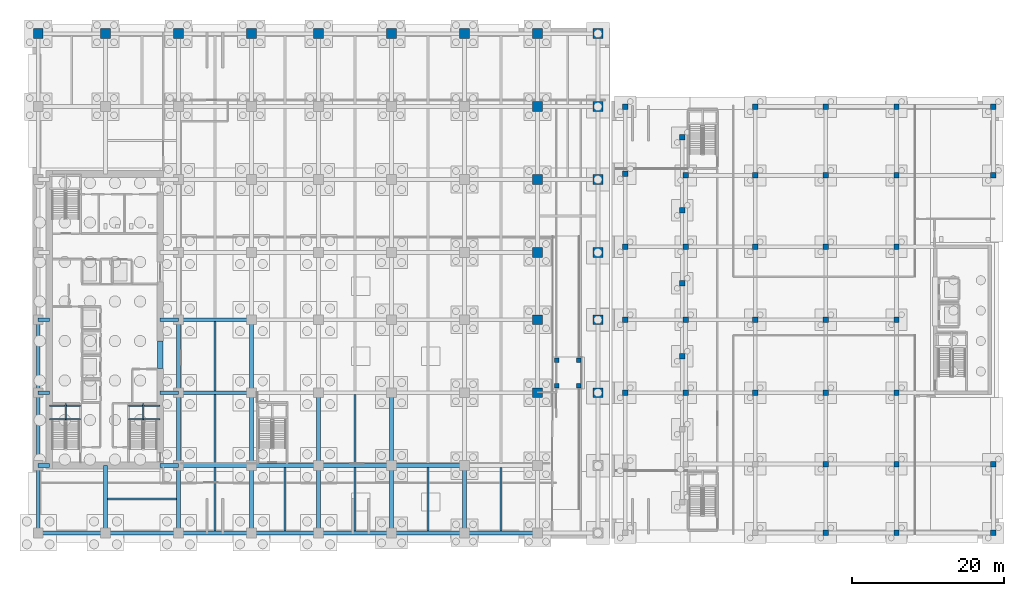
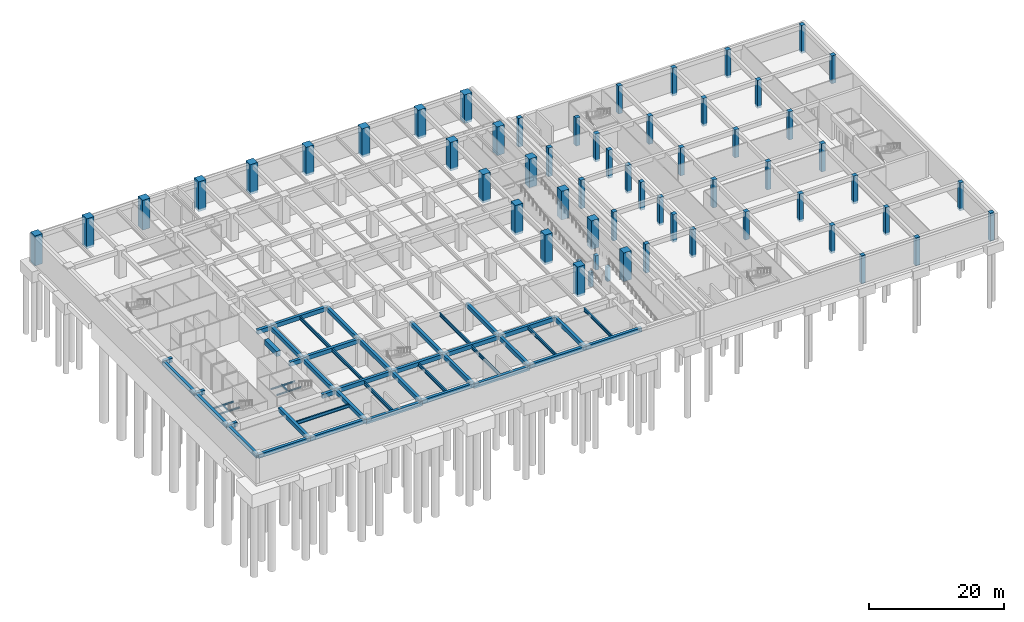
# One storey, part 4 of 20: 59 columns, 50 beams.
"""IFC4 building model written with IfcOpenShell, lengths in metres."""

from ifc_helpers import new_model, si_unit, direction, frame, origin, origin_2d, place, context, subcontext, project, spatial, rectangle, i_section, extrude, material, material_profile, profile_set, type_object, element, save


model = new_model("IFC4")

# Units and contexts
model_context = context("Model", 3, precision=1e-05, world=origin(), true_north=direction((0.0, 1.0)))
body_context = subcontext(model_context, "Body", "Model", "MODEL_VIEW")
ifc_project = project(units=[si_unit("LENGTHUNIT", "METRE"), si_unit("AREAUNIT", "SQUARE_METRE"), si_unit("VOLUMEUNIT", "CUBIC_METRE"), si_unit("PLANEANGLEUNIT", "RADIAN"), si_unit("MASSUNIT", "GRAM", prefix="KILO")], contexts=[model_context])

# Site, building, storey
site_placement = place(None, origin())
site = spatial("IfcSite", under=ifc_project, at=site_placement, CompositionType="ELEMENT")
building_placement = place(site_placement, origin())
building = spatial("IfcBuilding", under=site, at=building_placement, Name="Norrvale University Quadrangle", CompositionType="ELEMENT")
storey_placement = place(building_placement, frame((0.0, 0.0, -5.0)))
storey = spatial("IfcBuildingStorey", under=building, at=storey_placement, Name="B01", CompositionType="ELEMENT", Elevation=-5.0)

# Columns
ifc_material_1 = material(Name="Concrete C80/95", Category="concrete")
ifc_material_profile_1 = material_profile(ifc_material_1, rectangle(XDim=1.300048828125, YDim=1.300048828125, at=origin_2d()), Name="Concrete C80/95")
ifc_profile_set_1 = profile_set([ifc_material_profile_1], Name="Concrete C80/95")
column_type_1 = type_object("IfcColumnType", Name="Column Basement 1300x1300", PredefinedType="COLUMN", material=ifc_profile_set_1)
for number, where, z_axis, x_axis, name in (
    (1, (0.75, 66.449951171875, -0.419921875), (0.0, 0.0, 1.0), (1.0, 0.0, 0.0), "Tower Column B01-T08"),
    (2, (9.60009765625, 66.449951171875, -0.419921875), (0.0, 0.0, 1.0), (1.0, 0.0, 0.0), "Tower Column B01-T11"),
    (3, (19.199951171875, 66.449951171875, -0.419921875), (0.0, 0.0, 1.0), (1.0, 0.0, 0.0), "Tower Column B01-T19"),
    (4, (28.800048828125, 66.449951171875, -0.419921875), (0.0, 0.0, 1.0), (1.0, 0.0, 0.0), "Tower Column B01-T27"),
    (5, (37.64990234375, 66.449951171875, -0.419921875), (0.0, 0.0, 1.0), (1.0, 0.0, 0.0), "Tower Column B01-T35"),
):
    element("IfcColumn", number, at=place(storey_placement, frame(where, z_axis=z_axis, x_axis=x_axis)), inside=storey, type_object=column_type_1, Name=name, PredefinedType="COLUMN", context=body_context, shape_type="SweptSolid", body=[
        extrude(rectangle(XDim=1.300048828125, YDim=1.300048828125, at=origin_2d()), origin(), (0.0, 0.0, 1.0), 5.419921875),
    ])
for number, where, z_axis, x_axis, name in (
    (6, (47.25, 66.449951171875, -0.419921875), (0.0, 0.0, 1.0), (1.0, 0.0, 0.0), "Tower Column B01-T43"),
    (7, (56.85009765625, 66.449951171875, -0.419921875), (0.0, 0.0, 1.0), (1.0, 0.0, 0.0), "Tower Column B01-T51"),
):
    element("IfcColumn", number, at=place(storey_placement, frame(where, z_axis=z_axis, x_axis=x_axis)), inside=storey, type_object=column_type_1, Name=name, PredefinedType="COLUMN", context=body_context, shape_type="SweptSolid", body=[
        extrude(rectangle(XDim=1.300048828125, YDim=1.300048828125, at=origin_2d()), origin(), (0.0, 0.0, 1.0), 5.199951171875),
    ])
for number, where, z_axis, x_axis, name in (
    (8, (66.449951171875, 19.199951171875, -0.419921875), (0.0, 0.0, 1.0), (1.0, 0.0, 0.0), "Tower Column B01-T54"),
    (9, (66.449951171875, 28.800048828125, -0.419921875), (0.0, 0.0, 1.0), (1.0, 0.0, 0.0), "Tower Column B01-T55"),
    (10, (66.449951171875, 37.64990234375, -0.419921875), (0.0, 0.0, 1.0), (1.0, 0.0, 0.0), "Tower Column B01-T56"),
):
    element("IfcColumn", number, at=place(storey_placement, frame(where, z_axis=z_axis, x_axis=x_axis)), inside=storey, type_object=column_type_1, Name=name, PredefinedType="COLUMN", context=body_context, shape_type="SweptSolid", body=[
        extrude(rectangle(XDim=1.300048828125, YDim=1.300048828125, at=origin_2d()), origin(), (0.0, 0.0, 1.0), 5.419921875),
    ])
for number, where, z_axis, x_axis, name in (
    (11, (66.449951171875, 47.25, -0.419921875), (0.0, 0.0, 1.0), (1.0, 0.0, 0.0), "Tower Column B01-T57"),
    (12, (66.449951171875, 56.85009765625, -0.419921875), (0.0, 0.0, 1.0), (1.0, 0.0, 0.0), "Tower Column B01-T58"),
    (13, (66.449951171875, 66.449951171875, -0.419921875), (0.0, 0.0, 1.0), (1.0, 0.0, 0.0), "Tower Column B01-T59"),
    (14, (74.39990234375, 19.199951171875, -0.419921875), (0.0, 0.0, 1.0), (1.0, 0.0, 0.0), "Tower Column B01-T62"),
    (15, (74.39990234375, 28.800048828125, -0.419921875), (0.0, 0.0, 1.0), (1.0, 0.0, 0.0), "Tower Column B01-T63"),
    (16, (74.39990234375, 37.64990234375, -0.419921875), (0.0, 0.0, 1.0), (1.0, 0.0, 0.0), "Tower Column B01-T64"),
    (17, (74.39990234375, 47.25, -0.419921875), (0.0, 0.0, 1.0), (1.0, 0.0, 0.0), "Tower Column B01-T65"),
    (18, (74.39990234375, 56.85009765625, -0.419921875), (0.0, 0.0, 1.0), (1.0, 0.0, 0.0), "Tower Column B01-T66"),
    (19, (74.39990234375, 66.449951171875, -0.419921875), (0.0, 0.0, 1.0), (1.0, 0.0, 0.0), "Tower Column B01-T67"),
):
    element("IfcColumn", number, at=place(storey_placement, frame(where, z_axis=z_axis, x_axis=x_axis)), inside=storey, type_object=column_type_1, Name=name, PredefinedType="COLUMN", context=body_context, shape_type="SweptSolid", body=[
        extrude(rectangle(XDim=1.300048828125, YDim=1.300048828125, at=origin_2d()), origin(), (0.0, 0.0, 1.0), 5.199951171875),
    ])
ifc_material_2 = material(Name="Concrete C60/75", Category="concrete")
ifc_material_profile_2 = material_profile(ifc_material_2, rectangle(XDim=0.60009765625, YDim=0.60009765625, at=origin_2d()), Name="Concrete C60/75")
ifc_profile_set_2 = profile_set([ifc_material_profile_2], Name="Concrete C60/75")
column_type_2 = type_object("IfcColumnType", Name="Column Lib 600x600", PredefinedType="COLUMN", material=ifc_profile_set_2)
for number, where, z_axis, x_axis, name in (
    (20, (69.0, 20.10009765625, -0.419921875), (0.0, 0.0, 1.0), (1.0, 0.0, 0.0), "Service Ramp Support Column 1"),
    (21, (71.89990234375, 20.10009765625, -0.419921875), (0.0, 0.0, 1.0), (1.0, 0.0, 0.0), "Service Ramp Support Column 2"),
    (22, (69.0, 23.5, -0.419921875), (0.0, 0.0, 1.0), (1.0, 0.0, 0.0), "Service Ramp Support Column 3"),
    (23, (71.89990234375, 23.5, -0.419921875), (0.0, 0.0, 1.0), (1.0, 0.0, 0.0), "Service Ramp Support Column 4"),
):
    element("IfcColumn", number, at=place(storey_placement, frame(where, z_axis=z_axis, x_axis=x_axis)), inside=storey, type_object=column_type_2, Name=name, PredefinedType="COLUMN", context=body_context, shape_type="SweptSolid", body=[
        extrude(rectangle(XDim=0.60009765625, YDim=0.60009765625, at=origin_2d()), origin(), (0.0, 0.0, 1.0), 2.619873046875),
    ])
ifc_material_profile_3 = material_profile(ifc_material_2, rectangle(XDim=0.699951171875, YDim=0.699951171875, at=origin_2d()), Name="Concrete C60/75")
ifc_profile_set_3 = profile_set([ifc_material_profile_3], Name="Concrete C60/75")
column_type_3 = type_object("IfcColumnType", Name="Column Lib 700x700", PredefinedType="COLUMN", material=ifc_profile_set_3)
for number, where, z_axis, x_axis, name in (
    (24, (78.0, 19.199951171875, -0.419921875), (0.0, 0.0, 1.0), (1.0, 0.0, 0.0), "Library Column B01-L03"),
    (25, (78.0, 28.800048828125, -0.419921875), (0.0, 0.0, 1.0), (1.0, 0.0, 0.0), "Library Column B01-L04"),
    (26, (78.0, 38.39990234375, -0.419921875), (0.0, 0.0, 1.0), (1.0, 0.0, 0.0), "Library Column B01-L05"),
    (27, (78.0, 48.0, -0.419921875), (0.0, 0.0, 1.0), (1.0, 0.0, 0.0), "Library Column B01-L06"),
    (28, (78.0, 56.85009765625, -0.419921875), (0.0, 0.0, 1.0), (1.0, 0.0, 0.0), "Library Column B01-L07"),
):
    element("IfcColumn", number, at=place(storey_placement, frame(where, z_axis=z_axis, x_axis=x_axis)), inside=storey, type_object=column_type_3, Name=name, PredefinedType="COLUMN", context=body_context, shape_type="SweptSolid", body=[
        extrude(rectangle(XDim=0.699951171875, YDim=0.699951171875, at=origin_2d()), origin(), (0.0, 0.0, 1.0), 5.199951171875),
    ])
for number, where, z_axis, x_axis, name in (
    (29, (85.5, 24.0, -0.419921875), (0.0, 0.0, 1.0), (1.0, 0.0, 0.0), "Library Column B01-L10"),
    (30, (85.5, 33.60009765625, -0.419921875), (0.0, 0.0, 1.0), (1.0, 0.0, 0.0), "Library Column B01-L11"),
    (31, (85.5, 43.199951171875, -0.419921875), (0.0, 0.0, 1.0), (1.0, 0.0, 0.0), "Library Column B01-L12"),
    (32, (85.5, 52.800048828125, -0.419921875), (0.0, 0.0, 1.0), (1.0, 0.0, 0.0), "Library Column B01-L13"),
    (33, (85.949951171875, 19.199951171875, -0.419921875), (0.0, 0.0, 1.0), (1.0, 0.0, 0.0), "Library Column B01-L15"),
    (34, (85.949951171875, 28.800048828125, -0.419921875), (0.0, 0.0, 1.0), (1.0, 0.0, 0.0), "Library Column B01-L16"),
    (35, (85.949951171875, 38.39990234375, -0.419921875), (0.0, 0.0, 1.0), (1.0, 0.0, 0.0), "Library Column B01-L17"),
    (36, (85.949951171875, 47.800048828125, -0.419921875), (0.0, 0.0, 1.0), (1.0, 0.0, 0.0), "Library Column B01-L18"),
    (37, (95.10009765625, 19.199951171875, -0.419921875), (0.0, 0.0, 1.0), (1.0, 0.0, 0.0), "Library Column B01-L21"),
    (38, (95.10009765625, 28.800048828125, -0.419921875), (0.0, 0.0, 1.0), (1.0, 0.0, 0.0), "Library Column B01-L22"),
    (39, (95.10009765625, 38.39990234375, -0.419921875), (0.0, 0.0, 1.0), (1.0, 0.0, 0.0), "Library Column B01-L23"),
    (40, (95.10009765625, 47.800048828125, -0.419921875), (0.0, 0.0, 1.0), (1.0, 0.0, 0.0), "Library Column B01-L24"),
    (41, (95.10009765625, 56.85009765625, -0.419921875), (0.0, 0.0, 1.0), (1.0, 0.0, 0.0), "Library Column B01-L25"),
    (42, (104.39990234375, 0.75, -0.419921875), (0.0, 0.0, 1.0), (1.0, 0.0, 0.0), "Library Column B01-L26"),
    (43, (104.39990234375, 9.800048828125, -0.419921875), (0.0, 0.0, 1.0), (1.0, 0.0, 0.0), "Library Column B01-L27"),
    (44, (104.39990234375, 19.199951171875, -0.419921875), (0.0, 0.0, 1.0), (1.0, 0.0, 0.0), "Library Column B01-L28"),
    (45, (104.39990234375, 28.800048828125, -0.419921875), (0.0, 0.0, 1.0), (1.0, 0.0, 0.0), "Library Column B01-L29"),
    (46, (104.39990234375, 38.39990234375, -0.419921875), (0.0, 0.0, 1.0), (1.0, 0.0, 0.0), "Library Column B01-L30"),
    (47, (104.39990234375, 47.800048828125, -0.419921875), (0.0, 0.0, 1.0), (1.0, 0.0, 0.0), "Library Column B01-L31"),
    (48, (104.39990234375, 56.85009765625, -0.419921875), (0.0, 0.0, 1.0), (1.0, 0.0, 0.0), "Library Column B01-L32"),
    (49, (113.699951171875, 0.75, -0.419921875), (0.0, 0.0, 1.0), (1.0, 0.0, 0.0), "Library Column B01-L33"),
    (50, (113.699951171875, 9.800048828125, -0.419921875), (0.0, 0.0, 1.0), (1.0, 0.0, 0.0), "Library Column B01-L34"),
    (51, (113.699951171875, 19.199951171875, -0.419921875), (0.0, 0.0, 1.0), (1.0, 0.0, 0.0), "Library Column B01-L35"),
    (52, (113.699951171875, 28.800048828125, -0.419921875), (0.0, 0.0, 1.0), (1.0, 0.0, 0.0), "Library Column B01-L36"),
    (53, (113.699951171875, 38.39990234375, -0.419921875), (0.0, 0.0, 1.0), (1.0, 0.0, 0.0), "Library Column B01-L37"),
    (54, (113.699951171875, 47.800048828125, -0.419921875), (0.0, 0.0, 1.0), (1.0, 0.0, 0.0), "Library Column B01-L38"),
    (55, (113.699951171875, 56.85009765625, -0.419921875), (0.0, 0.0, 1.0), (1.0, 0.0, 0.0), "Library Column B01-L39"),
    (56, (126.449951171875, 0.75, -0.419921875), (0.0, 0.0, 1.0), (1.0, 0.0, 0.0), "Library Column B01-L40"),
    (57, (126.449951171875, 9.800048828125, -0.419921875), (0.0, 0.0, 1.0), (1.0, 0.0, 0.0), "Library Column B01-L41"),
    (58, (126.449951171875, 47.800048828125, -0.419921875), (0.0, 0.0, 1.0), (1.0, 0.0, 0.0), "Library Column B01-L42"),
    (59, (126.449951171875, 56.85009765625, -0.419921875), (0.0, 0.0, 1.0), (1.0, 0.0, 0.0), "Library Column B01-L43"),
):
    element("IfcColumn", number, at=place(storey_placement, frame(where, z_axis=z_axis, x_axis=x_axis)), inside=storey, type_object=column_type_3, Name=name, PredefinedType="COLUMN", context=body_context, shape_type="SweptSolid", body=[
        extrude(rectangle(XDim=0.699951171875, YDim=0.699951171875, at=origin_2d()), origin(), (0.0, 0.0, 1.0), 5.06982421875),
    ])

# Beams
ifc_material_profile_4 = material_profile(ifc_material_1, rectangle(XDim=0.699951171875, YDim=0.949951171875, at=origin_2d()), Name="Concrete C80/95")
ifc_profile_set_4 = profile_set([ifc_material_profile_4], Name="Concrete C80/95")
beam_type_1 = type_object("IfcBeamType", Name="Beam Core Link 700x950", PredefinedType="LINTEL", material=ifc_profile_set_4)
beam_1_placement = place(storey_placement, frame((16.800048828125, 22.39990234375, 4.18505859375), z_axis=(0.0, 1.0, 0.0), x_axis=(-1.0, 0.0, 0.0)))
element("IfcBeam", 60, at=beam_1_placement, inside=storey, type_object=beam_type_1, Name="Core Coupling Lintel Beam B01-1", PredefinedType="LINTEL", context=body_context, shape_type="SweptSolid", body=[
    extrude(rectangle(XDim=0.699951171875, YDim=0.949951171875, at=origin_2d()), origin(), (0.0, 0.0, 1.0), 3.60009765625),
])
ifc_material_profile_5 = material_profile(ifc_material_2, rectangle(XDim=0.5, YDim=0.75, at=origin_2d()), Name="Concrete C60/75")
ifc_profile_set_5 = profile_set([ifc_material_profile_5], Name="Concrete C60/75")
beam_type_2 = type_object("IfcBeamType", Name="Beam Edge 500x750", PredefinedType="BEAM", material=ifc_profile_set_5)
beam_2_placement = place(storey_placement, frame((0.75, 0.75, 4.405029296875), z_axis=(1.0, 0.0, 0.0), x_axis=(0.0, 1.0, 0.0)))
element("IfcBeam", 61, at=beam_2_placement, inside=storey, type_object=beam_type_2, Name="Beam Edge 500x750 BM-B01-GX001", PredefinedType="BEAM", context=body_context, shape_type="SweptSolid", body=[
    extrude(rectangle(XDim=0.5, YDim=0.75, at=origin_2d()), origin(), (0.0, 0.0, 1.0), 8.85009765625),
])
beam_3_placement = place(storey_placement, frame((9.60009765625, 0.75, 4.405029296875), z_axis=(1.0, 0.0, 0.0), x_axis=(0.0, 1.0, 0.0)))
element("IfcBeam", 62, at=beam_3_placement, inside=storey, type_object=beam_type_2, Name="Beam Edge 500x750 BM-B01-GX002", PredefinedType="BEAM", context=body_context, shape_type="SweptSolid", body=[
    extrude(rectangle(XDim=0.5, YDim=0.75, at=origin_2d()), origin(), (0.0, 0.0, 1.0), 9.599853515625),
])
beam_4_placement = place(storey_placement, frame((19.199951171875, 0.75, 4.1650390625), z_axis=(1.0, 0.0, 0.0), x_axis=(0.0, 1.0, 0.0)))
element("IfcBeam", 63, at=beam_4_placement, inside=storey, type_object=beam_type_2, Name="Beam Edge 500x750 BM-B01-GX003", PredefinedType="BEAM", context=body_context, shape_type="SweptSolid", body=[
    extrude(rectangle(XDim=0.5, YDim=0.75, at=origin_2d()), origin(), (0.0, 0.0, 1.0), 9.60009765625),
])
beam_5_placement = place(storey_placement, frame((28.800048828125, 0.75, 4.405029296875), z_axis=(1.0, 0.0, 0.0), x_axis=(0.0, 1.0, 0.0)))
element("IfcBeam", 64, at=beam_5_placement, inside=storey, type_object=beam_type_2, Name="Beam Edge 500x750 BM-B01-GX004", PredefinedType="BEAM", context=body_context, shape_type="SweptSolid", body=[
    extrude(rectangle(XDim=0.5, YDim=0.75, at=origin_2d()), origin(), (0.0, 0.0, 1.0), 8.849853515625),
])
for number, where, z_axis, x_axis, name in (
    (65, (37.64990234375, 0.75, 4.1650390625), (1.0, 0.0, 0.0), (0.0, 1.0, 0.0), "Beam Edge 500x750 BM-B01-GX005"),
    (66, (47.25, 0.75, 4.405029296875), (1.0, 0.0, 0.0), (0.0, 1.0, 0.0), "Beam Edge 500x750 BM-B01-GX006"),
):
    element("IfcBeam", number, at=place(storey_placement, frame(where, z_axis=z_axis, x_axis=x_axis)), inside=storey, type_object=beam_type_2, Name=name, PredefinedType="BEAM", context=body_context, shape_type="SweptSolid", body=[
        extrude(rectangle(XDim=0.5, YDim=0.75, at=origin_2d()), origin(), (0.0, 0.0, 1.0), 9.60009765625),
    ])
beam_6_placement = place(storey_placement, frame((56.85009765625, 0.75, 4.405029296875), z_axis=(1.0, 0.0, 0.0), x_axis=(0.0, 1.0, 0.0)))
element("IfcBeam", 67, at=beam_6_placement, inside=storey, type_object=beam_type_2, Name="Beam Edge 500x750 BM-B01-GX007", PredefinedType="BEAM", context=body_context, shape_type="SweptSolid", body=[
    extrude(rectangle(XDim=0.5, YDim=0.75, at=origin_2d()), origin(), (0.0, 0.0, 1.0), 9.599853515625),
])
beam_7_placement = place(storey_placement, frame((19.199951171875, 9.60009765625, 4.405029296875), z_axis=(1.0, 0.0, 0.0), x_axis=(0.0, 1.0, 0.0)))
element("IfcBeam", 68, at=beam_7_placement, inside=storey, type_object=beam_type_2, Name="Beam Edge 500x750 BM-B01-GX009", PredefinedType="BEAM", context=body_context, shape_type="SweptSolid", body=[
    extrude(rectangle(XDim=0.5, YDim=0.75, at=origin_2d()), origin(), (0.0, 0.0, 1.0), 9.60009765625),
])
beam_8_placement = place(storey_placement, frame((28.800048828125, 9.60009765625, 4.405029296875), z_axis=(1.0, 0.0, 0.0), x_axis=(0.0, 1.0, 0.0)))
element("IfcBeam", 69, at=beam_8_placement, inside=storey, type_object=beam_type_2, Name="Beam Edge 500x750 BM-B01-GX010", PredefinedType="BEAM", context=body_context, shape_type="SweptSolid", body=[
    extrude(rectangle(XDim=0.5, YDim=0.75, at=origin_2d()), origin(), (0.0, 0.0, 1.0), 8.849853515625),
])
for number, where, z_axis, x_axis, name in (
    (70, (37.64990234375, 9.60009765625, 4.405029296875), (1.0, 0.0, 0.0), (0.0, 1.0, 0.0), "Beam Edge 500x750 BM-B01-GX011"),
    (71, (47.25, 9.60009765625, 4.405029296875), (1.0, 0.0, 0.0), (0.0, 1.0, 0.0), "Beam Edge 500x750 BM-B01-GX012"),
    (72, (19.199951171875, 19.199951171875, 4.405029296875), (1.0, 0.0, 0.0), (0.0, 1.0, 0.0), "Beam Edge 500x750 BM-B01-GX014"),
    (73, (19.199951171875, 28.800048828125, 4.405029296875), (1.0, 0.0, 0.0), (0.0, 1.0, 0.0), "Beam Edge 500x750 BM-B01-GX019"),
):
    element("IfcBeam", number, at=place(storey_placement, frame(where, z_axis=z_axis, x_axis=x_axis)), inside=storey, type_object=beam_type_2, Name=name, PredefinedType="BEAM", context=body_context, shape_type="SweptSolid", body=[
        extrude(rectangle(XDim=0.5, YDim=0.75, at=origin_2d()), origin(), (0.0, 0.0, 1.0), 9.60009765625),
    ])
beam_9_placement = place(storey_placement, frame((0.75, 0.75, 4.405029296875), z_axis=(0.0, 1.0, 0.0), x_axis=(-1.0, 0.0, 0.0)))
element("IfcBeam", 74, at=beam_9_placement, inside=storey, type_object=beam_type_2, Name="Beam Edge 500x750 BM-B01-GY051", PredefinedType="BEAM", context=body_context, shape_type="SweptSolid", body=[
    extrude(rectangle(XDim=0.5, YDim=0.75, at=origin_2d()), origin(), (0.0, 0.0, 1.0), 8.85009765625),
])
beam_10_placement = place(storey_placement, frame((0.75, 9.60009765625, 4.405029296875), z_axis=(0.0, 1.0, 0.0), x_axis=(-1.0, 0.0, 0.0)))
element("IfcBeam", 75, at=beam_10_placement, inside=storey, type_object=beam_type_2, Name="Beam Edge 500x750 BM-B01-GY052", PredefinedType="BEAM", context=body_context, shape_type="SweptSolid", body=[
    extrude(rectangle(XDim=0.5, YDim=0.75, at=origin_2d()), origin(), (0.0, 0.0, 1.0), 9.599853515625),
])
beam_11_placement = place(storey_placement, frame((0.75, 19.199951171875, 4.405029296875), z_axis=(0.0, 1.0, 0.0), x_axis=(-1.0, 0.0, 0.0)))
element("IfcBeam", 76, at=beam_11_placement, inside=storey, type_object=beam_type_2, Name="Beam Edge 500x750 BM-B01-GY053", PredefinedType="BEAM", context=body_context, shape_type="SweptSolid", body=[
    extrude(rectangle(XDim=0.5, YDim=0.75, at=origin_2d()), origin(), (0.0, 0.0, 1.0), 9.60009765625),
])
beam_12_placement = place(storey_placement, frame((19.199951171875, 0.75, 4.405029296875), z_axis=(0.0, 1.0, 0.0), x_axis=(-1.0, 0.0, 0.0)))
element("IfcBeam", 77, at=beam_12_placement, inside=storey, type_object=beam_type_2, Name="Beam Edge 500x750 BM-B01-GY059", PredefinedType="BEAM", context=body_context, shape_type="SweptSolid", body=[
    extrude(rectangle(XDim=0.5, YDim=0.75, at=origin_2d()), origin(), (0.0, 0.0, 1.0), 8.85009765625),
])
beam_13_placement = place(storey_placement, frame((19.199951171875, 9.60009765625, 4.284912109375), z_axis=(0.0, 1.0, 0.0), x_axis=(-1.0, 0.0, 0.0)))
element("IfcBeam", 78, at=beam_13_placement, inside=storey, type_object=beam_type_2, Name="Beam Edge 500x750 BM-B01-GY060", PredefinedType="BEAM", context=body_context, shape_type="SweptSolid", body=[
    extrude(rectangle(XDim=0.5, YDim=0.75, at=origin_2d()), origin(), (0.0, 0.0, 1.0), 9.599853515625),
])
beam_14_placement = place(storey_placement, frame((19.199951171875, 19.199951171875, 4.284912109375), z_axis=(0.0, 1.0, 0.0), x_axis=(-1.0, 0.0, 0.0)))
element("IfcBeam", 79, at=beam_14_placement, inside=storey, type_object=beam_type_2, Name="Beam Edge 500x750 BM-B01-GY061", PredefinedType="BEAM", context=body_context, shape_type="SweptSolid", body=[
    extrude(rectangle(XDim=0.5, YDim=0.75, at=origin_2d()), origin(), (0.0, 0.0, 1.0), 9.60009765625),
])
beam_15_placement = place(storey_placement, frame((28.800048828125, 0.75, 4.405029296875), z_axis=(0.0, 1.0, 0.0), x_axis=(-1.0, 0.0, 0.0)))
element("IfcBeam", 80, at=beam_15_placement, inside=storey, type_object=beam_type_2, Name="Beam Edge 500x750 BM-B01-GY066", PredefinedType="BEAM", context=body_context, shape_type="SweptSolid", body=[
    extrude(rectangle(XDim=0.5, YDim=0.75, at=origin_2d()), origin(), (0.0, 0.0, 1.0), 8.85009765625),
])
beam_16_placement = place(storey_placement, frame((28.800048828125, 9.60009765625, 4.405029296875), z_axis=(0.0, 1.0, 0.0), x_axis=(-1.0, 0.0, 0.0)))
element("IfcBeam", 81, at=beam_16_placement, inside=storey, type_object=beam_type_2, Name="Beam Edge 500x750 BM-B01-GY067", PredefinedType="BEAM", context=body_context, shape_type="SweptSolid", body=[
    extrude(rectangle(XDim=0.5, YDim=0.75, at=origin_2d()), origin(), (0.0, 0.0, 1.0), 9.599853515625),
])
beam_17_placement = place(storey_placement, frame((28.800048828125, 19.199951171875, 4.405029296875), z_axis=(0.0, 1.0, 0.0), x_axis=(-1.0, 0.0, 0.0)))
element("IfcBeam", 82, at=beam_17_placement, inside=storey, type_object=beam_type_2, Name="Beam Edge 500x750 BM-B01-GY068", PredefinedType="BEAM", context=body_context, shape_type="SweptSolid", body=[
    extrude(rectangle(XDim=0.5, YDim=0.75, at=origin_2d()), origin(), (0.0, 0.0, 1.0), 9.60009765625),
])
beam_18_placement = place(storey_placement, frame((37.64990234375, 0.75, 4.405029296875), z_axis=(0.0, 1.0, 0.0), x_axis=(-1.0, 0.0, 0.0)))
element("IfcBeam", 83, at=beam_18_placement, inside=storey, type_object=beam_type_2, Name="Beam Edge 500x750 BM-B01-GY073", PredefinedType="BEAM", context=body_context, shape_type="SweptSolid", body=[
    extrude(rectangle(XDim=0.5, YDim=0.75, at=origin_2d()), origin(), (0.0, 0.0, 1.0), 8.85009765625),
])
beam_19_placement = place(storey_placement, frame((37.64990234375, 9.60009765625, 4.405029296875), z_axis=(0.0, 1.0, 0.0), x_axis=(-1.0, 0.0, 0.0)))
element("IfcBeam", 84, at=beam_19_placement, inside=storey, type_object=beam_type_2, Name="Beam Edge 500x750 BM-B01-GY074", PredefinedType="BEAM", context=body_context, shape_type="SweptSolid", body=[
    extrude(rectangle(XDim=0.5, YDim=0.75, at=origin_2d()), origin(), (0.0, 0.0, 1.0), 9.599853515625),
])
beam_20_placement = place(storey_placement, frame((47.25, 0.75, 4.405029296875), z_axis=(0.0, 1.0, 0.0), x_axis=(-1.0, 0.0, 0.0)))
element("IfcBeam", 85, at=beam_20_placement, inside=storey, type_object=beam_type_2, Name="Beam Edge 500x750 BM-B01-GY080", PredefinedType="BEAM", context=body_context, shape_type="SweptSolid", body=[
    extrude(rectangle(XDim=0.5, YDim=0.75, at=origin_2d()), origin(), (0.0, 0.0, 1.0), 8.85009765625),
])
beam_21_placement = place(storey_placement, frame((47.25, 9.60009765625, 4.405029296875), z_axis=(0.0, 1.0, 0.0), x_axis=(-1.0, 0.0, 0.0)))
element("IfcBeam", 86, at=beam_21_placement, inside=storey, type_object=beam_type_2, Name="Beam Edge 500x750 BM-B01-GY081", PredefinedType="BEAM", context=body_context, shape_type="SweptSolid", body=[
    extrude(rectangle(XDim=0.5, YDim=0.75, at=origin_2d()), origin(), (0.0, 0.0, 1.0), 9.599853515625),
])
beam_22_placement = place(storey_placement, frame((56.85009765625, 0.75, 4.405029296875), z_axis=(0.0, 1.0, 0.0), x_axis=(-1.0, 0.0, 0.0)))
element("IfcBeam", 87, at=beam_22_placement, inside=storey, type_object=beam_type_2, Name="Beam Edge 500x750 BM-B01-GY087", PredefinedType="BEAM", context=body_context, shape_type="SweptSolid", body=[
    extrude(rectangle(XDim=0.5, YDim=0.75, at=origin_2d()), origin(), (0.0, 0.0, 1.0), 8.85009765625),
])
beam_23_placement = place(storey_placement, frame((0.75, 9.60009765625, 4.405029296875), z_axis=(1.0, 0.0, 0.0), x_axis=(0.0, 1.0, 0.0)))
element("IfcBeam", 88, at=beam_23_placement, inside=storey, type_object=beam_type_2, Name="Beam Edge 500x750 BM-B01-GCW108", PredefinedType="BEAM", context=body_context, shape_type="SweptSolid", body=[
    extrude(rectangle(XDim=0.5, YDim=0.75, at=origin_2d()), origin(), (0.0, 0.0, 1.0), 1.449951171875),
])
beam_24_placement = place(storey_placement, frame((16.800048828125, 9.60009765625, 4.284912109375), z_axis=(1.0, 0.0, 0.0), x_axis=(0.0, 1.0, 0.0)))
element("IfcBeam", 89, at=beam_24_placement, inside=storey, type_object=beam_type_2, Name="Beam Edge 500x750 BM-B01-GCE109", PredefinedType="BEAM", context=body_context, shape_type="SweptSolid", body=[
    extrude(rectangle(XDim=0.5, YDim=0.75, at=origin_2d()), origin(), (0.0, 0.0, 1.0), 2.39990234375),
])
beam_25_placement = place(storey_placement, frame((0.75, 19.199951171875, 4.405029296875), z_axis=(1.0, 0.0, 0.0), x_axis=(0.0, 1.0, 0.0)))
element("IfcBeam", 90, at=beam_25_placement, inside=storey, type_object=beam_type_2, Name="Beam Edge 500x750 BM-B01-GCW110", PredefinedType="BEAM", context=body_context, shape_type="SweptSolid", body=[
    extrude(rectangle(XDim=0.5, YDim=0.75, at=origin_2d()), origin(), (0.0, 0.0, 1.0), 1.449951171875),
])
beam_26_placement = place(storey_placement, frame((16.800048828125, 19.199951171875, 4.284912109375), z_axis=(1.0, 0.0, 0.0), x_axis=(0.0, 1.0, 0.0)))
element("IfcBeam", 91, at=beam_26_placement, inside=storey, type_object=beam_type_2, Name="Beam Edge 500x750 BM-B01-GCE111", PredefinedType="BEAM", context=body_context, shape_type="SweptSolid", body=[
    extrude(rectangle(XDim=0.5, YDim=0.75, at=origin_2d()), origin(), (0.0, 0.0, 1.0), 2.39990234375),
])
beam_27_placement = place(storey_placement, frame((0.75, 28.800048828125, 4.405029296875), z_axis=(1.0, 0.0, 0.0), x_axis=(0.0, 1.0, 0.0)))
element("IfcBeam", 92, at=beam_27_placement, inside=storey, type_object=beam_type_2, Name="Beam Edge 500x750 BM-B01-GCW112", PredefinedType="BEAM", context=body_context, shape_type="SweptSolid", body=[
    extrude(rectangle(XDim=0.5, YDim=0.75, at=origin_2d()), origin(), (0.0, 0.0, 1.0), 1.449951171875),
])
beam_28_placement = place(storey_placement, frame((16.800048828125, 28.800048828125, 4.284912109375), z_axis=(1.0, 0.0, 0.0), x_axis=(0.0, 1.0, 0.0)))
element("IfcBeam", 93, at=beam_28_placement, inside=storey, type_object=beam_type_2, Name="Beam Edge 500x750 BM-B01-GCE113", PredefinedType="BEAM", context=body_context, shape_type="SweptSolid", body=[
    extrude(rectangle(XDim=0.5, YDim=0.75, at=origin_2d()), origin(), (0.0, 0.0, 1.0), 2.39990234375),
])
beam_29_placement = place(storey_placement, frame((9.60009765625, 0.75, 4.405029296875), z_axis=(0.0, 1.0, 0.0), x_axis=(-1.0, 0.0, 0.0)))
element("IfcBeam", 94, at=beam_29_placement, inside=storey, type_object=beam_type_2, Name="Beam Edge 500x750 BM-B01-GCS157", PredefinedType="BEAM", context=body_context, shape_type="SweptSolid", body=[
    extrude(rectangle(XDim=0.5, YDim=0.75, at=origin_2d()), origin(), (0.0, 0.0, 1.0), 8.85009765625),
])
ifc_material_3 = material(Name="Steel 350W", Category="steel")
ifc_material_profile_6 = material_profile(ifc_material_3, i_section(OverallWidth=0.22998046875, OverallDepth=0.616943359375, WebThickness=0.01318359375, FlangeThickness=0.022216796875, FilletRadius=0.01611328125, at=origin_2d()), Name="Steel 350W")
ifc_profile_set_6 = profile_set([ifc_material_profile_6], Name="Steel 350W")
beam_type_3 = type_object("IfcBeamType", Name="Beam Floor W610x140", PredefinedType="BEAM", material=ifc_profile_set_6)
beam_30_placement = place(storey_placement, frame((24.0, 1.0, 4.2314453125), z_axis=(0.0, 1.0, 0.0), x_axis=(-1.0, 0.0, 0.0)))
element("IfcBeam", 95, at=beam_30_placement, inside=storey, type_object=beam_type_3, Name="Beam Floor W610x140 BM-B01-J120", PredefinedType="BEAM", context=body_context, shape_type="SweptSolid", body=[
    extrude(i_section(OverallWidth=0.22998046875, OverallDepth=0.616943359375, WebThickness=0.01318359375, FlangeThickness=0.022216796875, FilletRadius=0.01611328125, at=origin_2d()), origin(), (0.0, 0.0, 1.0), 8.35009765625),
])
beam_31_placement = place(storey_placement, frame((24.0, 9.85009765625, 4.471435546875), z_axis=(0.0, 1.0, 0.0), x_axis=(-1.0, 0.0, 0.0)))
element("IfcBeam", 96, at=beam_31_placement, inside=storey, type_object=beam_type_3, Name="Beam Floor W610x140 BM-B01-J121", PredefinedType="BEAM", context=body_context, shape_type="SweptSolid", body=[
    extrude(i_section(OverallWidth=0.22998046875, OverallDepth=0.616943359375, WebThickness=0.01318359375, FlangeThickness=0.022216796875, FilletRadius=0.01611328125, at=origin_2d()), origin(), (0.0, 0.0, 1.0), 9.099853515625),
])
beam_32_placement = place(storey_placement, frame((24.0, 19.449951171875, 4.471435546875), z_axis=(0.0, 1.0, 0.0), x_axis=(-1.0, 0.0, 0.0)))
element("IfcBeam", 97, at=beam_32_placement, inside=storey, type_object=beam_type_3, Name="Beam Floor W610x140 BM-B01-J122", PredefinedType="BEAM", context=body_context, shape_type="SweptSolid", body=[
    extrude(i_section(OverallWidth=0.22998046875, OverallDepth=0.616943359375, WebThickness=0.01318359375, FlangeThickness=0.022216796875, FilletRadius=0.01611328125, at=origin_2d()), origin(), (0.0, 0.0, 1.0), 9.10009765625),
])
for number, where, z_axis, x_axis, name in (
    (98, (33.22509765625, 1.0, 4.471435546875), (0.0, 1.0, 0.0), (-1.0, 0.0, 0.0), "Beam Floor W610x140 BM-B01-J127"),
    (99, (42.449951171875, 1.0, 4.2314453125), (0.0, 1.0, 0.0), (-1.0, 0.0, 0.0), "Beam Floor W610x140 BM-B01-J133"),
):
    element("IfcBeam", number, at=place(storey_placement, frame(where, z_axis=z_axis, x_axis=x_axis)), inside=storey, type_object=beam_type_3, Name=name, PredefinedType="BEAM", context=body_context, shape_type="SweptSolid", body=[
        extrude(i_section(OverallWidth=0.22998046875, OverallDepth=0.616943359375, WebThickness=0.01318359375, FlangeThickness=0.022216796875, FilletRadius=0.01611328125, at=origin_2d()), origin(), (0.0, 0.0, 1.0), 8.35009765625),
    ])
beam_33_placement = place(storey_placement, frame((42.449951171875, 9.85009765625, 4.471435546875), z_axis=(0.0, 1.0, 0.0), x_axis=(-1.0, 0.0, 0.0)))
element("IfcBeam", 100, at=beam_33_placement, inside=storey, type_object=beam_type_3, Name="Beam Floor W610x140 BM-B01-J134", PredefinedType="BEAM", context=body_context, shape_type="SweptSolid", body=[
    extrude(i_section(OverallWidth=0.22998046875, OverallDepth=0.616943359375, WebThickness=0.01318359375, FlangeThickness=0.022216796875, FilletRadius=0.01611328125, at=origin_2d()), origin(), (0.0, 0.0, 1.0), 9.099853515625),
])
for number, where, z_axis, x_axis, name in (
    (101, (52.050048828125, 1.0, 4.471435546875), (0.0, 1.0, 0.0), (-1.0, 0.0, 0.0), "Beam Floor W610x140 BM-B01-J140"),
    (102, (61.64990234375, 1.0, 4.471435546875), (0.0, 1.0, 0.0), (-1.0, 0.0, 0.0), "Beam Floor W610x140 BM-B01-J147"),
):
    element("IfcBeam", number, at=place(storey_placement, frame(where, z_axis=z_axis, x_axis=x_axis)), inside=storey, type_object=beam_type_3, Name=name, PredefinedType="BEAM", context=body_context, shape_type="SweptSolid", body=[
        extrude(i_section(OverallWidth=0.22998046875, OverallDepth=0.616943359375, WebThickness=0.01318359375, FlangeThickness=0.022216796875, FilletRadius=0.01611328125, at=origin_2d()), origin(), (0.0, 0.0, 1.0), 8.35009765625),
    ])
beam_34_placement = place(storey_placement, frame((9.85009765625, 5.199951171875, 4.471435546875), z_axis=(1.0, 0.0, 0.0), x_axis=(0.0, 1.0, 0.0)))
element("IfcBeam", 103, at=beam_34_placement, inside=storey, type_object=beam_type_3, Name="Beam Floor W610x140 BM-B01-JCS158", PredefinedType="BEAM", context=body_context, shape_type="SweptSolid", body=[
    extrude(i_section(OverallWidth=0.22998046875, OverallDepth=0.616943359375, WebThickness=0.01318359375, FlangeThickness=0.022216796875, FilletRadius=0.01611328125, at=origin_2d()), origin(), (0.0, 0.0, 1.0), 9.099853515625),
])
ifc_material_profile_7 = material_profile(ifc_material_3, i_section(OverallWidth=0.201904296875, OverallDepth=0.2470703125, WebThickness=0.00732421875, FlangeThickness=0.010986328125, FilletRadius=0.011962890625, at=origin_2d()), Name="Steel 350W")
ifc_profile_set_7 = profile_set([ifc_material_profile_7], Name="Steel 350W")
beam_type_4 = type_object("IfcBeamType", Name="Beam Stair W250x49", PredefinedType="BEAM", material=ifc_profile_set_7)
for number, where, z_axis, x_axis, name in (
    (104, (2.199951171875, 15.72998046875, 2.176513671875), (1.0, 0.0, 0.0), (0.0, 1.0, 0.0), "Stair Mid-Landing Front Beam ST-01 B01"),
    (105, (2.199951171875, 17.469970703125, 2.176513671875), (1.0, 0.0, 0.0), (0.0, 1.0, 0.0), "Stair Mid-Landing Rear Beam ST-01 B01"),
):
    element("IfcBeam", number, at=place(storey_placement, frame(where, z_axis=z_axis, x_axis=x_axis)), inside=storey, type_object=beam_type_4, Name=name, PredefinedType="BEAM", context=body_context, shape_type="SweptSolid", body=[
        extrude(i_section(OverallWidth=0.201904296875, OverallDepth=0.2470703125, WebThickness=0.00732421875, FlangeThickness=0.010986328125, FilletRadius=0.011962890625, at=origin_2d()), origin(), (0.0, 0.0, 1.0), 4.14013671875),
    ])
for number, where, z_axis, x_axis, name in (
    (106, (12.610107421875, 15.72998046875, 2.176513671875), (1.0, 0.0, 0.0), (0.0, 1.0, 0.0), "Stair Mid-Landing Front Beam ST-03 B01"),
    (107, (12.610107421875, 17.469970703125, 2.176513671875), (1.0, 0.0, 0.0), (0.0, 1.0, 0.0), "Stair Mid-Landing Rear Beam ST-03 B01"),
):
    element("IfcBeam", number, at=place(storey_placement, frame(where, z_axis=z_axis, x_axis=x_axis)), inside=storey, type_object=beam_type_4, Name=name, PredefinedType="BEAM", context=body_context, shape_type="SweptSolid", body=[
        extrude(i_section(OverallWidth=0.201904296875, OverallDepth=0.2470703125, WebThickness=0.00732421875, FlangeThickness=0.010986328125, FilletRadius=0.011962890625, at=origin_2d()), origin(), (0.0, 0.0, 1.0), 4.18994140625),
    ])
ifc_material_profile_8 = material_profile(ifc_material_3, i_section(OverallWidth=0.202880859375, OverallDepth=0.202880859375, WebThickness=0.007080078125, FlangeThickness=0.010986328125, FilletRadius=0.010009765625, at=origin_2d()), Name="Steel 350W")
ifc_profile_set_8 = profile_set([ifc_material_profile_8], Name="Steel 350W")
beam_type_5 = type_object("IfcBeamType", Name="Beam Trim W200x46", PredefinedType="BEAM", material=ifc_profile_set_8)
for number, where, z_axis, x_axis, name in (
    (108, (4.375, 15.72998046875, 2.198486328125), (0.0, 1.0, 0.0), (-1.0, 0.0, 0.0), "Stair Mid-Landing Cross Beam ST-01 B01"),
    (109, (14.574951171875, 15.72998046875, 2.198486328125), (0.0, 1.0, 0.0), (-1.0, 0.0, 0.0), "Stair Mid-Landing Cross Beam ST-03 B01"),
):
    element("IfcBeam", number, at=place(storey_placement, frame(where, z_axis=z_axis, x_axis=x_axis)), inside=storey, type_object=beam_type_5, Name=name, PredefinedType="BEAM", context=body_context, shape_type="SweptSolid", body=[
        extrude(i_section(OverallWidth=0.202880859375, OverallDepth=0.202880859375, WebThickness=0.007080078125, FlangeThickness=0.010986328125, FilletRadius=0.010009765625, at=origin_2d()), origin(), (0.0, 0.0, 1.0), 2.06005859375),
    ])

save(model, "model.ifc")
